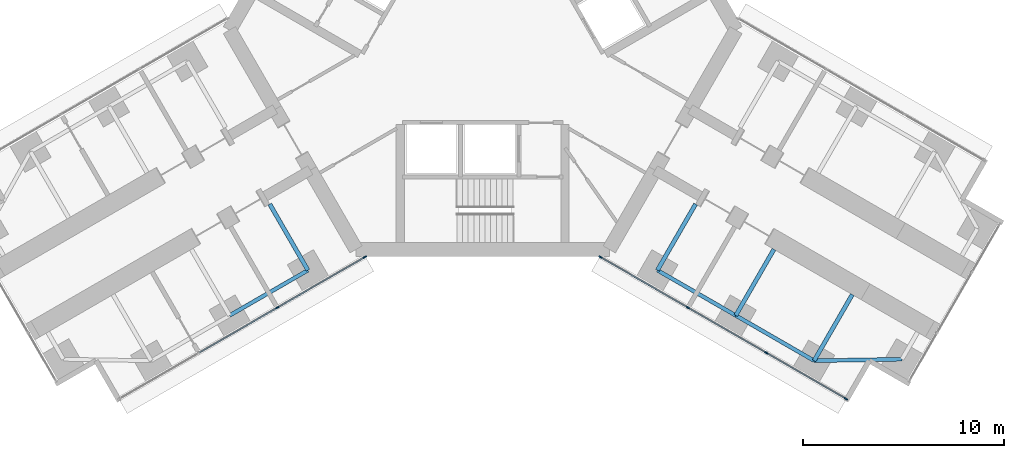
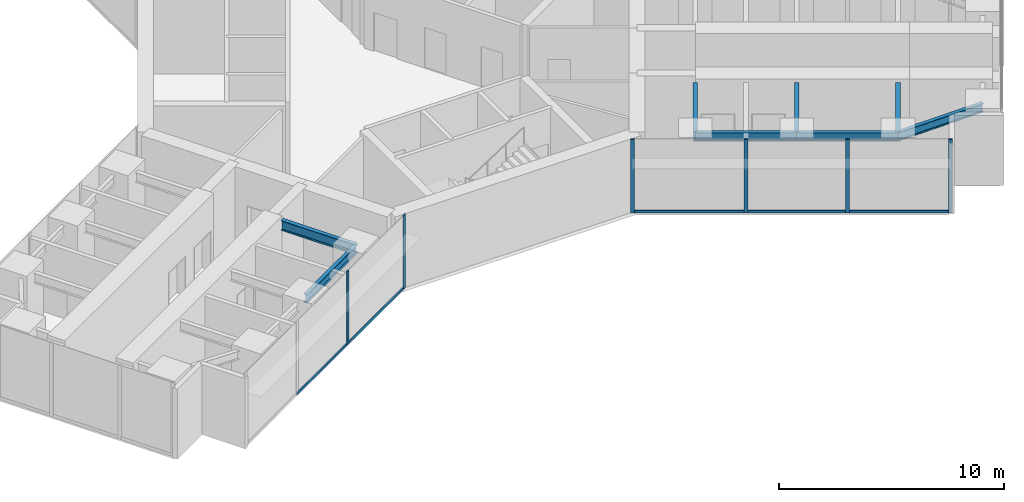
# One storey, part 9 of 22: 11 members, 8 beams, 2 elements without a shape of their own.
"""IFC4 building model written with IfcOpenShell, lengths in metres."""

from ifc_helpers import new_model, si_unit, direction, frame, origin, origin_2d, place, context, subcontext, project, spatial, rectangle, i_section, extrude, material, material_profile, profile_set, type_object, element, aggregate, save


model = new_model("IFC4")

# Units and contexts
model_context = context("Model", 3, precision=1e-05, world=origin(), true_north=direction((0.0, 1.0)))
body_context = subcontext(model_context, "Body", "Model", "MODEL_VIEW")
ifc_project = project(units=[si_unit("LENGTHUNIT", "METRE"), si_unit("AREAUNIT", "SQUARE_METRE"), si_unit("VOLUMEUNIT", "CUBIC_METRE"), si_unit("PLANEANGLEUNIT", "RADIAN"), si_unit("MASSUNIT", "GRAM", prefix="KILO")], contexts=[model_context])

# Site, building, storey
site_placement = place(None, origin())
site = spatial("IfcSite", under=ifc_project, at=site_placement, CompositionType="ELEMENT")
building_placement = place(site_placement, origin())
building = spatial("IfcBuilding", under=site, at=building_placement, Name="Upepo Twin Towers", CompositionType="ELEMENT")
storey_placement = place(building_placement, frame((0.0, 0.0, 36.5)))
storey = spatial("IfcBuildingStorey", under=building, at=storey_placement, Name="L08", CompositionType="ELEMENT", Elevation=36.5)

# Beams
ifc_material_1 = material(Name="Steel S355", Category="steel")
ifc_material_profile_1 = material_profile(ifc_material_1, i_section(OverallWidth=0.1904296875, OverallDepth=0.45703125, WebThickness=0.009033203125, FlangeThickness=0.014404296875, FilletRadius=0.01025390625, at=origin_2d()), Name="UB 457x191x74")
ifc_profile_set_1 = profile_set([ifc_material_profile_1], Name="Steel S355")
beam_type_1 = type_object("IfcBeamType", Name="Beam UB 457x191x74", PredefinedType="BEAM", material=ifc_profile_set_1)
for number, where, z_axis, x_axis, name in (
    (1, (49.80859375, -29.946044921875, 3.571533203125), (-0.866017533419, -0.500013631625, 0.0), (0.500013631625, -0.866017533419, 0.0), "T2 edge beam BL 13.5-18.0"),
    (2, (67.19140625, -29.946044921875, 3.571533203125), (0.866017533419, -0.500013631625, 0.0), (0.500013631625, 0.866017533419, 0.0), "T2 edge beam CR 13.5-18.0"),
):
    element("IfcBeam", number, at=place(storey_placement, frame(where, z_axis=z_axis, x_axis=x_axis)), inside=storey, type_object=beam_type_1, Name=name, PredefinedType="BEAM", context=body_context, shape_type="SweptSolid", body=[
        extrude(i_section(OverallWidth=0.1904296875, OverallDepth=0.45703125, WebThickness=0.009033203125, FlangeThickness=0.014404296875, FilletRadius=0.01025390625, at=origin_2d()), origin(), (0.0, 0.0, 1.0), 4.499755859375),
    ])
beam_1_placement = place(storey_placement, frame((71.08837890625, -32.196044921875, 3.571533203125), z_axis=(0.866031096941, -0.499990139034, 0.0), x_axis=(0.499990139034, 0.866031096941, 0.0)))
element("IfcBeam", 3, at=beam_1_placement, inside=storey, type_object=beam_type_1, Name="T2 edge beam CR 18.0-22.5", PredefinedType="BEAM", context=body_context, shape_type="SweptSolid", body=[
    extrude(i_section(OverallWidth=0.1904296875, OverallDepth=0.45703125, WebThickness=0.009033203125, FlangeThickness=0.014404296875, FilletRadius=0.01025390625, at=origin_2d()), origin(), (0.0, 0.0, 1.0), 4.5),
])
beam_2_placement = place(storey_placement, frame((74.985595703125, -34.446044921875, 3.571533203125), z_axis=(0.999858804832, 0.016803880528, 0.0), x_axis=(-0.016803880528, 0.999858804832, 0.0)))
element("IfcBeam", 4, at=beam_2_placement, inside=storey, type_object=beam_type_1, Name="T2 nose edge beam CR", PredefinedType="BEAM", context=body_context, shape_type="SweptSolid", body=[
    extrude(i_section(OverallWidth=0.1904296875, OverallDepth=0.45703125, WebThickness=0.009033203125, FlangeThickness=0.014404296875, FilletRadius=0.01025390625, at=origin_2d()), origin(), (0.0, 0.0, 1.0), 4.373291015625),
])
ifc_material_2 = material(Name="Steel S355", Category="steel")
ifc_material_profile_2 = material_profile(ifc_material_2, i_section(OverallWidth=0.209228515625, OverallDepth=0.533203125, WebThickness=0.010009765625, FlangeThickness=0.015625, FilletRadius=0.0126953125, at=origin_2d()), Name="UB 533x210x92")
ifc_profile_set_2 = profile_set([ifc_material_profile_2], Name="Steel S355")
beam_type_2 = type_object("IfcBeamType", Name="Beam UB 533x210x92", PredefinedType="BEAM", material=ifc_profile_set_2)
for number, where, z_axis, x_axis, name in (
    (5, (49.80859375, -29.946044921875, 3.533447265625), (-0.499994975061, 0.866028304915, 0.0), (-0.866028304915, -0.499994975061, 0.0), "T2 girder BL at 13.5"),
    (6, (67.19140625, -29.946044921875, 3.533447265625), (0.499994975061, 0.866028304915, 0.0), (-0.866028304915, 0.499994975061, 0.0), "T2 girder CR at 13.5"),
):
    element("IfcBeam", number, at=place(storey_placement, frame(where, z_axis=z_axis, x_axis=x_axis)), inside=storey, type_object=beam_type_2, Name=name, PredefinedType="BEAM", context=body_context, shape_type="SweptSolid", body=[
        extrude(i_section(OverallWidth=0.209228515625, OverallDepth=0.533203125, WebThickness=0.010009765625, FlangeThickness=0.015625, FilletRadius=0.0126953125, at=origin_2d()), origin(), (0.0, 0.0, 1.0), 3.7998046875),
    ])
beam_3_placement = place(storey_placement, frame((71.08837890625, -32.196044921875, 3.533447265625), z_axis=(0.500043160704, 0.866000483506, 0.0), x_axis=(-0.866000483506, 0.500043160704, 0.0)))
element("IfcBeam", 7, at=beam_3_placement, inside=storey, type_object=beam_type_2, Name="T2 girder CR at 18.0", PredefinedType="BEAM", context=body_context, shape_type="SweptSolid", body=[
    extrude(i_section(OverallWidth=0.209228515625, OverallDepth=0.533203125, WebThickness=0.010009765625, FlangeThickness=0.015625, FilletRadius=0.0126953125, at=origin_2d()), origin(), (0.0, 0.0, 1.0), 3.800048828125),
])
beam_4_placement = place(storey_placement, frame((74.985595703125, -34.446044921875, 3.533447265625), z_axis=(0.499994975061, 0.866028304915, 0.0), x_axis=(-0.866028304915, 0.499994975061, 0.0)))
element("IfcBeam", 8, at=beam_4_placement, inside=storey, type_object=beam_type_2, Name="T2 girder CR at 22.5", PredefinedType="BEAM", context=body_context, shape_type="SweptSolid", body=[
    extrude(i_section(OverallWidth=0.209228515625, OverallDepth=0.533203125, WebThickness=0.010009765625, FlangeThickness=0.015625, FilletRadius=0.0126953125, at=origin_2d()), origin(), (0.0, 0.0, 1.0), 3.7998046875),
])

# Curtain wall, members
ifc_material_3 = material(Name="Aluminium and fritted glass", Category="aluminium")
curtain_wall_type = type_object("IfcCurtainWallType", Name="Tower curtain wall TW1, fritted glass", PredefinedType="NOTDEFINED", material=ifc_material_3)
curtain_wall_1_placement = place(storey_placement, origin())
curtain_wall_1 = element("IfcCurtainWall", 9, at=curtain_wall_1_placement, inside=storey, type_object=curtain_wall_type, Name="T2 L08 wing B flank L curtain wall", PredefinedType="NOTDEFINED")
ifc_material_4 = material(Name="Aluminium mullion", Category="aluminium")
ifc_material_profile_3 = material_profile(ifc_material_4, rectangle(XDim=0.06494140625, YDim=0.179931640625, at=origin_2d()), Name="MULLION 65x180")
ifc_profile_set_3 = profile_set([ifc_material_profile_3], Name="Aluminium mullion")
member_type_1 = type_object("IfcMemberType", Name="Mullion 65x180 TW1", PredefinedType="MULLION", material=ifc_profile_set_3)
member_1_placement = place(storey_placement, frame((52.6416015625, -29.2919921875, 0.0), z_axis=(0.0, 0.0, 1.0), x_axis=(0.500000024426, -0.866025389682, 0.0)))
member_1 = element("IfcMember", 10, at=member_1_placement, type_object=member_type_1, Name="T2 L08 wing B flank L curtain wall mullion 1", PredefinedType="MULLION", context=body_context, shape_type="SweptSolid", body=[
    extrude(rectangle(XDim=0.06494140625, YDim=0.179931640625, at=origin_2d()), origin(), (0.0, 0.0, 1.0), 4.0),
])
member_2_placement = place(storey_placement, frame((48.28515625, -31.807373046875, 0.0), z_axis=(0.0, 0.0, 1.0), x_axis=(0.500000024426, -0.866025389682, 0.0)))
member_2 = element("IfcMember", 11, at=member_2_placement, type_object=member_type_1, Name="T2 L08 wing B flank L curtain wall mullion 2", PredefinedType="MULLION", context=body_context, shape_type="SweptSolid", body=[
    extrude(rectangle(XDim=0.06494140625, YDim=0.179931640625, at=origin_2d()), origin(), (0.0, 0.0, 1.0), 4.0),
])

curtain_wall_2_placement = place(storey_placement, origin())
curtain_wall_2 = element("IfcCurtainWall", 12, at=curtain_wall_2_placement, inside=storey, type_object=curtain_wall_type, Name="T2 L08 wing C flank R curtain wall", PredefinedType="NOTDEFINED")
member_3_placement = place(storey_placement, frame((76.567626953125, -36.341064453125, 0.0), z_axis=(0.0, 0.0, 1.0), x_axis=(-0.500000024426, -0.866025389682, 0.0)))
member_3 = element("IfcMember", 13, at=member_3_placement, type_object=member_type_1, Name="T2 L08 wing C flank R curtain wall mullion 1", PredefinedType="MULLION", context=body_context, shape_type="SweptSolid", body=[
    extrude(rectangle(XDim=0.06494140625, YDim=0.179931640625, at=origin_2d()), origin(), (0.0, 0.0, 1.0), 4.0),
])
member_4_placement = place(storey_placement, frame((72.612060546875, -34.057373046875, 0.0), z_axis=(0.0, 0.0, 1.0), x_axis=(-0.500000024426, -0.866025389682, 0.0)))
member_4 = element("IfcMember", 14, at=member_4_placement, type_object=member_type_1, Name="T2 L08 wing C flank R curtain wall mullion 2", PredefinedType="MULLION", context=body_context, shape_type="SweptSolid", body=[
    extrude(rectangle(XDim=0.06494140625, YDim=0.179931640625, at=origin_2d()), origin(), (0.0, 0.0, 1.0), 4.0),
])
member_5_placement = place(storey_placement, frame((68.71484375, -31.807373046875, 0.0), z_axis=(0.0, 0.0, 1.0), x_axis=(-0.500000024426, -0.866025389682, 0.0)))
member_5 = element("IfcMember", 15, at=member_5_placement, type_object=member_type_1, Name="T2 L08 wing C flank R curtain wall mullion 3", PredefinedType="MULLION", context=body_context, shape_type="SweptSolid", body=[
    extrude(rectangle(XDim=0.06494140625, YDim=0.179931640625, at=origin_2d()), origin(), (0.0, 0.0, 1.0), 4.0),
])
member_6_placement = place(storey_placement, frame((64.3583984375, -29.2919921875, 0.0), z_axis=(0.0, 0.0, 1.0), x_axis=(-0.500000024426, -0.866025389682, 0.0)))
member_6 = element("IfcMember", 16, at=member_6_placement, type_object=member_type_1, Name="T2 L08 wing C flank R curtain wall mullion 4", PredefinedType="MULLION", context=body_context, shape_type="SweptSolid", body=[
    extrude(rectangle(XDim=0.06494140625, YDim=0.179931640625, at=origin_2d()), origin(), (0.0, 0.0, 1.0), 4.0),
])

# Member
ifc_material_5 = material(Name="Aluminium transom", Category="aluminium")
ifc_material_profile_4 = material_profile(ifc_material_5, rectangle(XDim=0.06494140625, YDim=0.14990234375, at=origin_2d()), Name="TRANSOM 65x150")
ifc_profile_set_4 = profile_set([ifc_material_profile_4], Name="Aluminium transom")
member_type_2 = type_object("IfcMemberType", Name="Transom 65x150 TW1", PredefinedType="USERDEFINED", material=ifc_profile_set_4)
member_7_placement = place(storey_placement, frame((52.61328125, -29.308349609375, 0.074951171875), z_axis=(-0.866022642139, -0.50000478328, 0.0), x_axis=(0.50000478328, -0.866022642139, 0.0)))
member_7 = element("IfcMember", 17, at=member_7_placement, type_object=member_type_2, Name="T2 L08 wing B flank L curtain wall transom 1", ObjectType="TRANSOM", PredefinedType="USERDEFINED", context=body_context, shape_type="SweptSolid", body=[
    extrude(rectangle(XDim=0.06494140625, YDim=0.14990234375, at=origin_2d()), origin(), (0.0, 0.0, 1.0), 4.96533203125),
])

member_8_placement = place(storey_placement, frame((48.2568359375, -31.823486328125, 0.074951171875), z_axis=(-0.866022410713, -0.500005184116, 0.0), x_axis=(0.500005184116, -0.866022410713, 0.0)))
member_8 = element("IfcMember", 18, at=member_8_placement, type_object=member_type_2, Name="T2 L08 wing B flank L curtain wall transom 2", ObjectType="TRANSOM", PredefinedType="USERDEFINED", context=body_context, shape_type="SweptSolid", body=[
    extrude(rectangle(XDim=0.06494140625, YDim=0.14990234375, at=origin_2d()), origin(), (0.0, 0.0, 1.0), 4.43505859375),
])

aggregate(curtain_wall_1, [member_1, member_2, member_7, member_8])

member_9_placement = place(storey_placement, frame((76.53955078125, -36.32470703125, 0.074951171875), z_axis=(-0.866035699072, 0.499982167615, 0.0), x_axis=(-0.499982167615, -0.866035699072, 0.0)))
member_9 = element("IfcMember", 19, at=member_9_placement, type_object=member_type_2, Name="T2 L08 wing C flank R curtain wall transom 1", ObjectType="TRANSOM", PredefinedType="USERDEFINED", context=body_context, shape_type="SweptSolid", body=[
    extrude(rectangle(XDim=0.06494140625, YDim=0.14990234375, at=origin_2d()), origin(), (0.0, 0.0, 1.0), 4.502685546875),
])

member_10_placement = place(storey_placement, frame((72.583984375, -34.041015625, 0.074951171875), z_axis=(-0.866022410713, 0.500005184116, 0.0), x_axis=(-0.500005184116, -0.866022410713, 0.0)))
member_10 = element("IfcMember", 20, at=member_10_placement, type_object=member_type_2, Name="T2 L08 wing C flank R curtain wall transom 2", ObjectType="TRANSOM", PredefinedType="USERDEFINED", context=body_context, shape_type="SweptSolid", body=[
    extrude(rectangle(XDim=0.06494140625, YDim=0.14990234375, at=origin_2d()), origin(), (0.0, 0.0, 1.0), 4.43505859375),
])

member_11_placement = place(storey_placement, frame((68.686767578125, -31.791015625, 0.074951171875), z_axis=(-0.866022642139, 0.50000478328, 0.0), x_axis=(-0.50000478328, -0.866022642139, 0.0)))
member_11 = element("IfcMember", 21, at=member_11_placement, type_object=member_type_2, Name="T2 L08 wing C flank R curtain wall transom 3", ObjectType="TRANSOM", PredefinedType="USERDEFINED", context=body_context, shape_type="SweptSolid", body=[
    extrude(rectangle(XDim=0.06494140625, YDim=0.14990234375, at=origin_2d()), origin(), (0.0, 0.0, 1.0), 4.96533203125),
])

aggregate(curtain_wall_2, [member_3, member_4, member_5, member_6, member_9, member_10, member_11])

save(model, "model.ifc")
